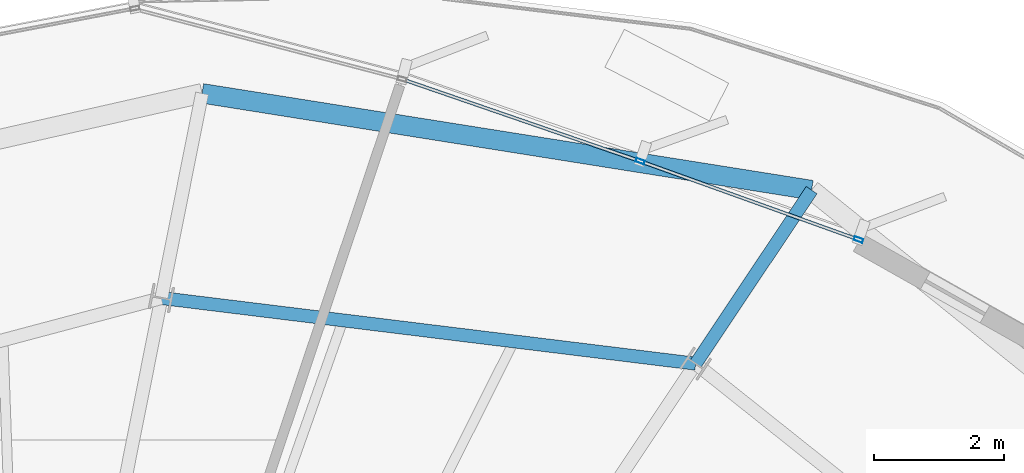
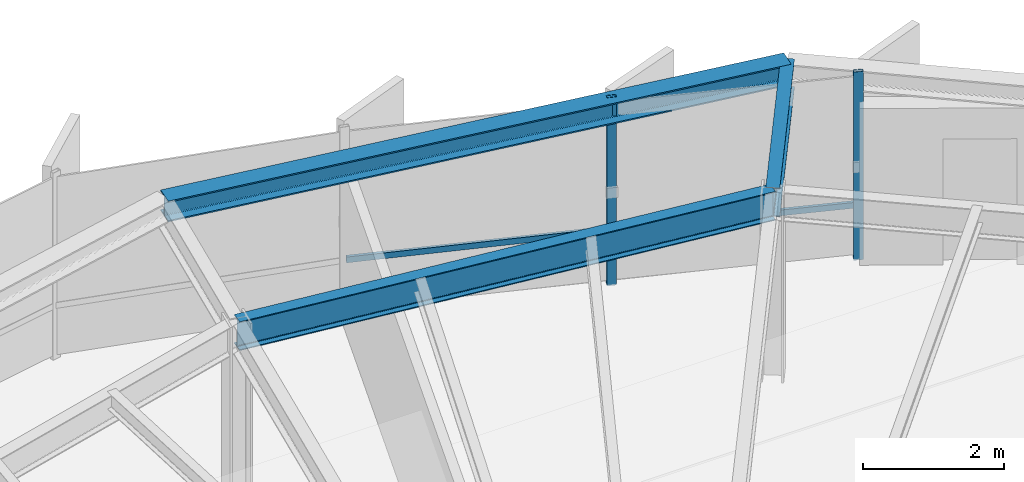
# One storey, part 26 of 34: 4 members, 3 beams, 1 element without a shape of its own.
"""IFC4 building model written with IfcOpenShell, lengths in metres."""

from ifc_helpers import new_model, si_unit, direction, frame, origin, origin_2d, place, context, subcontext, project, spatial, hollow_rectangle, i_section, extrude, source, transform, mapped, material, layer, layer_set, material_profile, profile_set, type_object, element, aggregate, save


model = new_model("IFC4")

# Units and contexts
model_context = context("Model", 3, precision=1e-05, world=origin(), true_north=direction((0.0, 1.0)))
body_context = subcontext(model_context, "Body", "Model", "MODEL_VIEW")
ifc_project = project(units=[si_unit("LENGTHUNIT", "METRE"), si_unit("AREAUNIT", "SQUARE_METRE"), si_unit("VOLUMEUNIT", "CUBIC_METRE"), si_unit("PLANEANGLEUNIT", "RADIAN"), si_unit("MASSUNIT", "GRAM", prefix="KILO"), si_unit("THERMODYNAMICTEMPERATUREUNIT", "KELVIN")], contexts=[model_context])

# Site, building, storey
site_placement = place(None, origin())
site = spatial("IfcSite", under=ifc_project, at=site_placement, CompositionType="ELEMENT")
building_placement = place(site_placement, origin())
building = spatial("IfcBuilding", under=site, at=building_placement, Name="Kethvar Cultural Tower", CompositionType="ELEMENT")
storey_placement = place(building_placement, frame((0.0, 0.0, 190.39990234375)))
storey = spatial("IfcBuildingStorey", under=building, at=storey_placement, Name="L49", CompositionType="ELEMENT", Elevation=190.39990234375)

# Beams
ifc_material_1 = material(Name="Steel S355J2", Category="steel")
ifc_material_profile_1 = material_profile(ifc_material_1, i_section(OverallWidth=0.199951171875, OverallDepth=0.5, WebThickness=0.01025390625, FlangeThickness=0.01611328125, FilletRadius=0.02099609375, at=origin_2d()), Name="Steel S355J2 — IPE500")
ifc_profile_set_1 = profile_set([ifc_material_profile_1], Name="Steel S355J2 — IPE500")
beam_type_1 = type_object("IfcBeamType", Name="BM-IPE500", PredefinedType="BEAM", material=ifc_profile_set_1)
shared_shape_1 = source(origin(), body_context, "Body", "SweptSolid", [
    extrude(i_section(OverallWidth=0.199951171875, OverallDepth=0.5, WebThickness=0.01025390625, FlangeThickness=0.01611328125, FilletRadius=0.02099609375, at=origin_2d()), origin(), (0.0, 0.0, 1.0), 3.2001953125),
])
beam_1_placement = place(storey_placement, frame((58.748046875, 45.681396484375, 3.008056640625), z_axis=(0.555544970406, 0.831486491686, 0.0), x_axis=(-0.831486491686, 0.555544970406, 0.0)))
element("IfcBeam", 1, at=beam_1_placement, inside=storey, type_object=beam_type_1, Name="L49 Perimeter Cantilever Beam RC-03", PredefinedType="BEAM", context=body_context, shape_type="MappedRepresentation", body=[
    mapped(shared_shape_1, transform((0.0, 0.0, 0.0), scale=1.0)),
])
shared_shape_2 = source(origin(), body_context, "Body", "SweptSolid", [
    extrude(i_section(OverallWidth=0.199951171875, OverallDepth=0.5, WebThickness=0.01025390625, FlangeThickness=0.01611328125, FilletRadius=0.02099609375, at=origin_2d()), origin(), (0.0, 0.0, 1.0), 8.252685546875),
])
beam_2_placement = place(storey_placement, frame((58.748046875, 45.681396484375, 3.008056640625), z_axis=(-0.992540943467, 0.121911753093, 0.0), x_axis=(-0.121911753093, -0.992540943467, 0.0)))
element("IfcBeam", 2, at=beam_2_placement, inside=storey, type_object=beam_type_1, Name="L49 Column Ring Tie Beam CR-03", PredefinedType="BEAM", context=body_context, shape_type="MappedRepresentation", body=[
    mapped(shared_shape_2, transform((0.0, 0.0, 0.0), scale=1.0)),
])
ifc_material_profile_2 = material_profile(ifc_material_1, i_section(OverallWidth=0.300048828125, OverallDepth=0.360107421875, WebThickness=0.012451171875, FlangeThickness=0.0224609375, FilletRadius=0.027099609375, at=origin_2d()), Name="Steel S355J2 — HEB360")
ifc_profile_set_2 = profile_set([ifc_material_profile_2], Name="Steel S355J2 — HEB360")
beam_type_2 = type_object("IfcBeamType", Name="BM-SP360", PredefinedType="SPANDREL", material=ifc_profile_set_2)
shared_shape_3 = source(origin(), body_context, "Body", "SweptSolid", [
    extrude(i_section(OverallWidth=0.300048828125, OverallDepth=0.360107421875, WebThickness=0.012451171875, FlangeThickness=0.0224609375, FilletRadius=0.027099609375, at=origin_2d()), origin(), (0.0, 0.0, 1.0), 9.461669921875),
])
beam_3_placement = place(storey_placement, frame((60.52587890625, 48.34228515625, 3.078125), z_axis=(-0.987629757191, 0.156803898904, 0.0), x_axis=(-0.156803898904, -0.987629757191, 0.0)))
element("IfcBeam", 3, at=beam_3_placement, inside=storey, type_object=beam_type_2, Name="L49 Perimeter Spandrel Beam SP-03", PredefinedType="SPANDREL", context=body_context, shape_type="MappedRepresentation", body=[
    mapped(shared_shape_3, transform((0.0, 0.0, 0.0), scale=1.0)),
])

# Curtain wall, members
ifc_material_2 = material(Name="Aluminium 6063-T6", Category="aluminium")
ifc_layer = layer(ifc_material_2, 0.179931640625, Name="Aluminium 6063-T6", Category="aluminium")
ifc_layer_set = layer_set([ifc_layer], Name="Aluminium 6063-T6 (180 mm)")
curtain_wall_type = type_object("IfcCurtainWallType", Name="CW-SYS-04-Z34", PredefinedType="NOTDEFINED", material=ifc_layer_set)
curtain_wall_placement = place(storey_placement, origin())
curtain_wall = element("IfcCurtainWall", 4, at=curtain_wall_placement, inside=storey, type_object=curtain_wall_type, Name="L49 Curtain Wall Run 02", PredefinedType="NOTDEFINED")
ifc_material_profile_3 = material_profile(ifc_material_2, hollow_rectangle(XDim=0.06005859375, YDim=0.139892578125, WallThickness=0.0048828125, at=origin_2d()), Name="Aluminium 6063-T6 — RHS140x60x5")
ifc_profile_set_3 = profile_set([ifc_material_profile_3], Name="Aluminium 6063-T6 — RHS140x60x5")
member_type_1 = type_object("IfcMemberType", Name="CW-SYS-04-Z34-MUL", PredefinedType="MULLION", material=ifc_profile_set_3)
shared_shape_4 = source(origin(), body_context, "Body", "SweptSolid", [
    extrude(hollow_rectangle(XDim=0.06005859375, YDim=0.139892578125, WallThickness=0.0048828125, at=origin_2d()), origin(), (0.0, 0.0, 1.0), 3.260009765625),
])
member_1_placement = place(storey_placement, frame((61.244384765625, 47.583251953125, 0.0), z_axis=(0.0, 0.0, 1.0), x_axis=(-0.338048127671, -0.941128824008, 0.0)))
member_1 = element("IfcMember", 5, at=member_1_placement, type_object=member_type_1, Name="CW-L49-R02 Mullion 1", PredefinedType="MULLION", context=body_context, shape_type="MappedRepresentation", body=[
    mapped(shared_shape_4, transform((0.0, 0.0, 0.0), scale=1.0)),
])
member_2_placement = place(storey_placement, frame((57.897705078125, 48.785400390625, 0.0), z_axis=(0.0, 0.0, 1.0), x_axis=(-0.325799178508, -0.945438996067, 0.0)))
member_2 = element("IfcMember", 6, at=member_2_placement, type_object=member_type_1, Name="CW-L49-R02 Mullion 2", PredefinedType="MULLION", context=body_context, shape_type="MappedRepresentation", body=[
    mapped(shared_shape_4, transform((0.0, 0.0, 0.0), scale=1.0)),
])
ifc_material_profile_4 = material_profile(ifc_material_2, hollow_rectangle(XDim=0.050048828125, YDim=0.10009765625, WallThickness=0.00390625, at=origin_2d()), Name="Aluminium 6063-T6 — RHS100x50x4")
ifc_profile_set_4 = profile_set([ifc_material_profile_4], Name="Aluminium 6063-T6 — RHS100x50x4")
member_type_2 = type_object("IfcMemberType", Name="CW-SYS-04-Z34-TRN", PredefinedType="USERDEFINED", material=ifc_profile_set_4)
shared_shape_5 = source(origin(), body_context, "Body", "SweptSolid", [
    extrude(hollow_rectangle(XDim=0.050048828125, YDim=0.10009765625, WallThickness=0.00390625, at=origin_2d()), origin(), (0.0, 0.0, 1.0), 3.510009765625),
])
member_3_placement = place(storey_placement, frame((61.240478515625, 47.584716796875, 0.9501953125), z_axis=(-0.941134540507, 0.338032212465, 0.0), x_axis=(-0.338032212465, -0.941134540507, 0.0)))
member_3 = element("IfcMember", 7, at=member_3_placement, type_object=member_type_2, Name="CW-L49-R02 Transom 1", ObjectType="TRANSOM", PredefinedType="USERDEFINED", context=body_context, shape_type="MappedRepresentation", body=[
    mapped(shared_shape_5, transform((0.0, 0.0, 0.0), scale=1.0)),
])
shared_shape_6 = source(origin(), body_context, "Body", "SweptSolid", [
    extrude(hollow_rectangle(XDim=0.050048828125, YDim=0.10009765625, WallThickness=0.00390625, at=origin_2d()), origin(), (0.0, 0.0, 1.0), 3.782958984375),
])
member_4_placement = place(storey_placement, frame((57.856689453125, 48.799560546875, 0.9501953125), z_axis=(-0.945447025751, 0.325775876177, 0.0), x_axis=(-0.325775876177, -0.945447025751, 0.0)))
member_4 = element("IfcMember", 8, at=member_4_placement, type_object=member_type_2, Name="CW-L49-R02 Transom 2", ObjectType="TRANSOM", PredefinedType="USERDEFINED", context=body_context, shape_type="MappedRepresentation", body=[
    mapped(shared_shape_6, transform((0.0, 0.0, 0.0), scale=1.0)),
])
aggregate(curtain_wall, [member_1, member_2, member_3, member_4])

save(model, "model.ifc")
